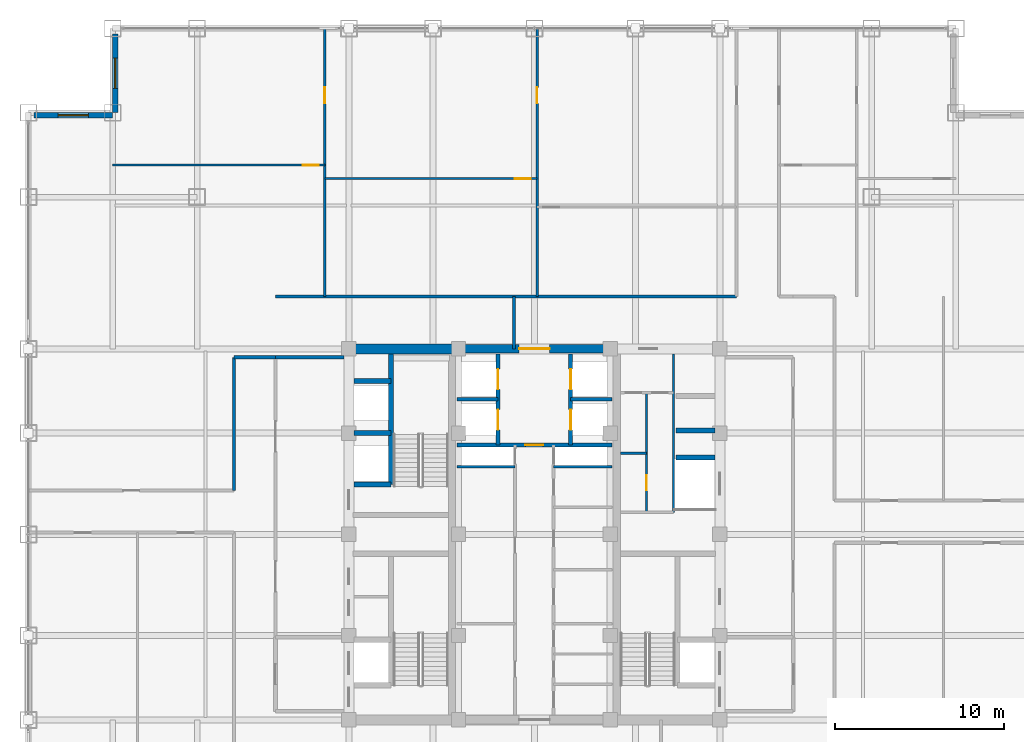
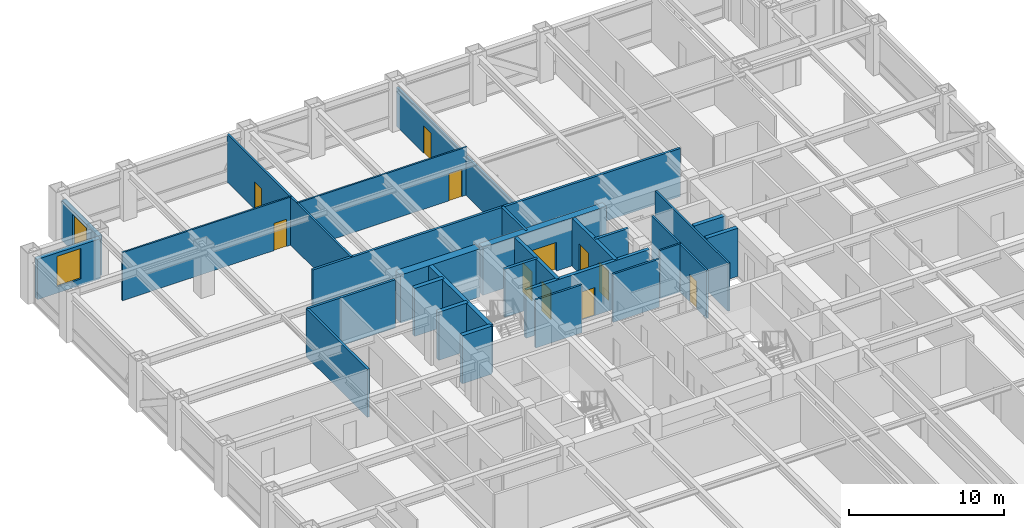
# One storey, part 22 of 25: 29 walls, 11 doors, 2 windows, 13 openings.
"""IFC4 building model written with IfcOpenShell, lengths in metres."""

from ifc_helpers import new_model, si_unit, direction, frame, frame_2d, origin, place, context, subcontext, project, spatial, rectangle, extrude, source, transform, mapped, material, layer, layer_set, type_object, element, fill, save


model = new_model("IFC4")

# Units and contexts
model_context = context("Model", 3, precision=1e-05, world=origin(), true_north=direction((0.0, 1.0)))
body_context = subcontext(model_context, "Body", "Model", "MODEL_VIEW")
ifc_project = project(units=[si_unit("LENGTHUNIT", "METRE"), si_unit("AREAUNIT", "SQUARE_METRE"), si_unit("VOLUMEUNIT", "CUBIC_METRE"), si_unit("PLANEANGLEUNIT", "RADIAN"), si_unit("MASSUNIT", "GRAM", prefix="KILO")], contexts=[model_context])

# Site, building, storey
site_placement = place(None, origin())
site = spatial("IfcSite", under=ifc_project, at=site_placement, CompositionType="ELEMENT")
building_placement = place(site_placement, origin())
building = spatial("IfcBuilding", under=site, at=building_placement, Name="Khorayat Bourse Tower", CompositionType="ELEMENT")
storey_placement = place(building_placement, frame((0.0, 0.0, 231.10009765625)))
storey = spatial("IfcBuildingStorey", under=building, at=storey_placement, Name="L54", CompositionType="ELEMENT", Elevation=231.10009765625)

# Wall, opening, door
ifc_material_1 = material(Name="Concrete C52/65", Category="concrete")
ifc_layer_1 = layer(ifc_material_1, 0.5)
ifc_layer_set_1 = layer_set([ifc_layer_1], Name="Concrete C52/65")
wall_type_1 = type_object("IfcWallType", Name="WAL-CORE-500", PredefinedType="SHEAR", material=ifc_layer_set_1)
shared_shape_1 = source(origin(), body_context, "Body", "SweptSolid", [
    extrude(rectangle(XDim=9.2001953125, YDim=0.5, at=frame_2d((4.60009765625, 0.0))), origin(), (0.0, 0.0, 1.0), 3.77978515625),
])
wall_1_placement = place(storey_placement, frame((-4.60009765625, 11.0, 0.0), z_axis=(0.0, 0.0, 1.0), x_axis=(1.0, 0.0, 0.0)))
wall_1 = element("IfcWall", 1, at=wall_1_placement, inside=storey, type_object=wall_type_1, Name="L54 Core Shear Wall CORE-N", PredefinedType="SHEAR", context=body_context, shape_type="MappedRepresentation", body=[
    mapped(shared_shape_1, transform((0.0, 0.0, 0.0), scale=1.0)),
])
shared_shape_2 = source(origin(), body_context, "Body", "SweptSolid", [
    extrude(rectangle(XDim=1.800048828125, YDim=2.25, at=frame_2d((0.89990234375, 1.125))), frame((0.0, 0.260009765625, 0.0), z_axis=(0.0, -1.0, 0.0), x_axis=(1.0, 0.0, 0.0)), (0.0, 0.0, 1.0), 0.52001953125),
])
opening_1_placement = place(wall_1_placement, frame((3.699951171875, 0.0, 0.0)))
opening_1 = element("IfcOpeningElement", 2, at=opening_1_placement, cuts=wall_1, Name="Opening DI-03", PredefinedType="OPENING", context=body_context, shape_type="MappedRepresentation", body=[
    mapped(shared_shape_2, transform((0.0, 0.0, 0.0), scale=1.0)),
])
ifc_material_2 = material(Name="Fire-rated hardwood vision-panel double leaf", Category="wood")
door_type_1 = type_object("IfcDoorType", Name="DR-INT-CORR-1800", OperationType="NOTDEFINED", PredefinedType="DOOR", material=ifc_material_2)
shared_shape_3 = source(origin(), body_context, "Body", "SweptSolid", [
    extrude(rectangle(XDim=1.800048828125, YDim=2.25, at=frame_2d((0.89990234375, 1.125))), frame((0.0, 0.02490234375, 0.0), z_axis=(0.0, -1.0, 0.0), x_axis=(1.0, 0.0, 0.0)), (0.0, 0.0, 1.0), 0.050048828125),
])
door_1_placement = place(opening_1_placement, origin())
door_1 = element("IfcDoor", 3, at=door_1_placement, inside=storey, type_object=door_type_1, Name="L54 Mid-Rise Lift Lobby Door", OperationType="SINGLE_SWING_RIGHT", OverallHeight=2.25, OverallWidth=1.800048828125, PredefinedType="DOOR", context=body_context, shape_type="MappedRepresentation", body=[
    mapped(shared_shape_3, transform((0.0, 0.0, 0.0), scale=1.0)),
])
fill(opening_1, door_1)

# Wall
ifc_material_3 = material(Name="Concrete C60/75", Category="concrete")
ifc_layer_2 = layer(ifc_material_3, 0.60009765625)
ifc_layer_set_2 = layer_set([ifc_layer_2], Name="Concrete C60/75")
wall_type_2 = type_object("IfcWallType", Name="WAL-CORE-600", PredefinedType="SHEAR", material=ifc_layer_set_2)
shared_shape_4 = source(origin(), body_context, "Body", "SweptSolid", [
    extrude(rectangle(XDim=5.89990234375, YDim=0.60009765625, at=frame_2d((2.949951171875, 0.0))), origin(), (0.0, 0.0, 1.0), 3.77978515625),
])
wall_2_placement = place(storey_placement, frame((-10.75, 11.0, 0.0), z_axis=(0.0, 0.0, 1.0), x_axis=(1.0, 0.0, 0.0)))
element("IfcWall", 4, at=wall_2_placement, inside=storey, type_object=wall_type_2, Name="L54 Core Shear Wall PIER-WN", PredefinedType="SHEAR", context=body_context, shape_type="MappedRepresentation", body=[
    mapped(shared_shape_4, transform((0.0, 0.0, 0.0), scale=1.0)),
])

# Wall, opening, window
ifc_material_4 = material(Name="Precast concrete C45/55", Category="concrete")
ifc_layer_3 = layer(ifc_material_4, 0.320068359375)
ifc_layer_set_3 = layer_set([ifc_layer_3], Name="Precast concrete C45/55")
wall_type_3 = type_object("IfcWallType", Name="WAL-EXT-STONE-320", PredefinedType="STANDARD", material=ifc_layer_set_3)
shared_shape_5 = source(origin(), body_context, "Body", "SweptSolid", [
    extrude(rectangle(XDim=4.679931640625, YDim=0.320068359375, at=frame_2d((2.33984375, 0.0))), origin(), (0.0, 0.0, 1.0), 3.163818359375),
])
wall_3_placement = place(storey_placement, frame((-24.840087890625, 25.0, 0.0), z_axis=(0.0, 0.0, 1.0), x_axis=(0.0, 1.0, 0.0)))
wall_3 = element("IfcWall", 5, at=wall_3_placement, inside=storey, type_object=wall_type_3, Name="L54 Re-Entrant Notch Limestone Wall NW-V", PredefinedType="STANDARD", context=body_context, shape_type="MappedRepresentation", body=[
    mapped(shared_shape_5, transform((0.0, 0.0, 0.0), scale=1.0)),
])
shared_shape_6 = source(origin(), body_context, "Body", "SweptSolid", [
    extrude(rectangle(XDim=1.800048828125, YDim=2.39990234375, at=frame_2d((0.89990234375, 1.199951171875))), frame((0.0, 0.169921875, 0.0), z_axis=(0.0, -1.0, 0.0), x_axis=(1.0, 0.0, 0.0)), (0.0, 0.0, 1.0), 0.340087890625),
])
opening_2_placement = place(wall_3_placement, frame((1.43994140625, 0.0, 0.5)))
opening_2 = element("IfcOpeningElement", 6, at=opening_2_placement, cuts=wall_3, Name="Opening WN-04", PredefinedType="OPENING", context=body_context, shape_type="MappedRepresentation", body=[
    mapped(shared_shape_6, transform((0.0, 0.0, 0.0), scale=1.0)),
])
ifc_material_5 = material(Name="Low-E acoustic laminated double glazing", Category="glass")
window_type = type_object("IfcWindowType", Name="WIN-NOTCH-1800x2400", PartitioningType="SINGLE_PANEL", PredefinedType="WINDOW", material=ifc_material_5)
shared_shape_7 = source(origin(), body_context, "Body", "SweptSolid", [
    extrude(rectangle(XDim=1.800048828125, YDim=2.39990234375, at=frame_2d((0.89990234375, 1.199951171875))), frame((0.0, 0.030029296875, 0.0), z_axis=(0.0, -1.0, 0.0), x_axis=(1.0, 0.0, 0.0)), (0.0, 0.0, 1.0), 0.06005859375),
])
window_1_placement = place(opening_2_placement, origin())
window_1 = element("IfcWindow", 7, at=window_1_placement, inside=storey, type_object=window_type, Name="L54 Facade Window 1", OverallHeight=2.39990234375, OverallWidth=1.800048828125, PartitioningType="SINGLE_PANEL", PredefinedType="WINDOW", context=body_context, shape_type="MappedRepresentation", body=[
    mapped(shared_shape_7, transform((0.0, 0.0, 0.0), scale=1.0)),
])
fill(opening_2, window_1)

wall_4_placement = place(storey_placement, frame((-25.0, 24.840087890625, 0.0), z_axis=(0.0, 0.0, 1.0), x_axis=(-1.0, 0.0, 0.0)))
wall_4 = element("IfcWall", 8, at=wall_4_placement, inside=storey, type_object=wall_type_3, Name="L54 Re-Entrant Notch Limestone Wall NW-H", PredefinedType="STANDARD", context=body_context, shape_type="MappedRepresentation", body=[
    mapped(shared_shape_5, transform((0.0, 0.0, 0.0), scale=1.0)),
])
opening_3_placement = place(wall_4_placement, frame((1.43994140625, 0.0, 0.5)))
opening_3 = element("IfcOpeningElement", 9, at=opening_3_placement, cuts=wall_4, Name="Opening WN-04", PredefinedType="OPENING", context=body_context, shape_type="MappedRepresentation", body=[
    mapped(shared_shape_6, transform((0.0, 0.0, 0.0), scale=1.0)),
])
window_2_placement = place(opening_3_placement, origin())
window_2 = element("IfcWindow", 10, at=window_2_placement, inside=storey, type_object=window_type, Name="L54 Facade Window 1", OverallHeight=2.39990234375, OverallWidth=1.800048828125, PartitioningType="SINGLE_PANEL", PredefinedType="WINDOW", context=body_context, shape_type="MappedRepresentation", body=[
    mapped(shared_shape_7, transform((0.0, 0.0, 0.0), scale=1.0)),
])
fill(opening_3, window_2)

# Walls
ifc_material_6 = material(Name="Concrete C50/60", Category="concrete")
ifc_layer_4 = layer(ifc_material_6, 0.300048828125)
ifc_layer_set_4 = layer_set([ifc_layer_4], Name="Concrete C50/60")
wall_type_4 = type_object("IfcWallType", Name="WAL-SHAFT-300", PredefinedType="SHEAR", material=ifc_layer_set_4)
shared_shape_8 = source(origin(), body_context, "Body", "SweptSolid", [
    extrude(rectangle(XDim=2.199951171875, YDim=0.300048828125, at=frame_2d((1.10009765625, 0.0))), origin(), (0.0, 0.0, 1.0), 3.77978515625),
])
for number, where, z_axis, x_axis, name in (
    (11, (-10.699951171875, 2.949951171875, 0.0), (0.0, 0.0, 1.0), (1.0, 0.0, 0.0), "L54 Partition WAL-L54-WPIER-H1S"),
    (12, (-10.699951171875, 6.0, 0.0), (0.0, 0.0, 1.0), (1.0, 0.0, 0.0), "L54 Partition WAL-L54-WPIER-H12"),
    (13, (-10.699951171875, 9.10009765625, 0.0), (0.0, 0.0, 1.0), (1.0, 0.0, 0.0), "L54 Partition WAL-L54-WPIER-H2N"),
):
    element("IfcWall", number, at=place(storey_placement, frame(where, z_axis=z_axis, x_axis=x_axis)), inside=storey, type_object=wall_type_4, Name=name, PredefinedType="SHEAR", context=body_context, shape_type="MappedRepresentation", body=[
        mapped(shared_shape_8, transform((0.0, 0.0, 0.0), scale=1.0)),
    ])
shared_shape_9 = source(origin(), body_context, "Body", "SweptSolid", [
    extrude(rectangle(XDim=7.75, YDim=0.300048828125, at=frame_2d((3.875, 0.0))), origin(), (0.0, 0.0, 1.0), 3.77978515625),
])
wall_5_placement = place(storey_placement, frame((-8.5, 2.949951171875, 0.0), z_axis=(0.0, 0.0, 1.0), x_axis=(0.0, 1.0, 0.0)))
element("IfcWall", 14, at=wall_5_placement, inside=storey, type_object=wall_type_4, Name="L54 Partition WAL-L54-WPIER-ST2S", PredefinedType="SHEAR", context=body_context, shape_type="MappedRepresentation", body=[
    mapped(shared_shape_9, transform((0.0, 0.0, 0.0), scale=1.0)),
])
shared_shape_10 = source(origin(), body_context, "Body", "SweptSolid", [
    extrude(rectangle(XDim=2.300048828125, YDim=0.300048828125, at=frame_2d((1.14990234375, 0.0))), origin(), (0.0, 0.0, 1.0), 3.77978515625),
])
for number, where, z_axis, x_axis, name in (
    (15, (8.39990234375, 4.550048828125, 0.0), (0.0, 0.0, 1.0), (1.0, 0.0, 0.0), "L54 Partition WAL-L54-EPIER-SVLN"),
    (16, (8.39990234375, 6.14990234375, 0.0), (0.0, 0.0, 1.0), (1.0, 0.0, 0.0), "L54 Partition WAL-L54-EPIER-H3S"),
):
    element("IfcWall", number, at=place(storey_placement, frame(where, z_axis=z_axis, x_axis=x_axis)), inside=storey, type_object=wall_type_4, Name=name, PredefinedType="SHEAR", context=body_context, shape_type="MappedRepresentation", body=[
        mapped(shared_shape_10, transform((0.0, 0.0, 0.0), scale=1.0)),
    ])
ifc_material_7 = material(Name="Moisture-resistant masonry partition", Category="masonry")
ifc_layer_5 = layer(ifc_material_7, 0.139892578125)
ifc_layer_set_5 = layer_set([ifc_layer_5], Name="Moisture-resistant masonry partition")
wall_type_5 = type_object("IfcWallType", Name="WAL-PART-WET-140", PredefinedType="PARTITIONING", material=ifc_layer_set_5)
shared_shape_11 = source(origin(), body_context, "Body", "SweptSolid", [
    extrude(rectangle(XDim=9.39990234375, YDim=0.139892578125, at=frame_2d((4.699951171875, 0.0))), origin(), (0.0, 0.0, 1.0), 3.77978515625),
])
wall_6_placement = place(storey_placement, frame((8.25, 1.300048828125, 0.0), z_axis=(0.0, 0.0, 1.0), x_axis=(0.0, 1.0, 0.0)))
element("IfcWall", 17, at=wall_6_placement, inside=storey, type_object=wall_type_5, Name="L54 Partition WAL-L54-ECORE-E", PredefinedType="PARTITIONING", context=body_context, shape_type="MappedRepresentation", body=[
    mapped(shared_shape_11, transform((0.0, 0.0, 0.0), scale=1.0)),
])
ifc_material_8 = material(Name="Gypsum plasterboard acoustic stud wall")
ifc_layer_6 = layer(ifc_material_8, 0.179931640625)
ifc_layer_set_6 = layer_set([ifc_layer_6], Name="Gypsum plasterboard acoustic stud wall")
wall_type_6 = type_object("IfcWallType", Name="WAL-PART-CORR-180", PredefinedType="PARTITIONING", material=ifc_layer_set_6)
shared_shape_12 = source(origin(), body_context, "Body", "SweptSolid", [
    extrude(rectangle(XDim=4.050048828125, YDim=0.179931640625, at=frame_2d((2.02490234375, 0.0))), origin(), (0.0, 0.0, 1.0), 3.77978515625),
])
wall_7_placement = place(storey_placement, frame((-15.35009765625, 10.5, 0.0), z_axis=(0.0, 0.0, 1.0), x_axis=(1.0, 0.0, 0.0)))
element("IfcWall", 18, at=wall_7_placement, inside=storey, type_object=wall_type_6, Name="L54 Partition WAL-L54-WLOB-N", PredefinedType="PARTITIONING", context=body_context, shape_type="MappedRepresentation", body=[
    mapped(shared_shape_12, transform((0.0, 0.0, 0.0), scale=1.0)),
])
ifc_material_9 = material(Name="Gypsum plasterboard twin-frame partition")
ifc_layer_7 = layer(ifc_material_9, 0.14990234375)
ifc_layer_set_7 = layer_set([ifc_layer_7], Name="Gypsum plasterboard twin-frame partition")
wall_type_7 = type_object("IfcWallType", Name="WAL-PART-SUITE-150", PredefinedType="PARTITIONING", material=ifc_layer_set_7)
shared_shape_13 = source(origin(), body_context, "Body", "SweptSolid", [
    extrude(rectangle(XDim=3.4501953125, YDim=0.14990234375, at=frame_2d((1.72509765625, 0.0))), origin(), (0.0, 0.0, 1.0), 3.77978515625),
])
for number, where, z_axis, x_axis, name in (
    (19, (-4.60009765625, 4.0, 0.0), (0.0, 0.0, 1.0), (1.0, 0.0, 0.0), "L54 Partition WAL-L54-CRSW-S"),
    (20, (1.14990234375, 4.0, 0.0), (0.0, 0.0, 1.0), (1.0, 0.0, 0.0), "L54 Partition WAL-L54-CRSE-S"),
):
    element("IfcWall", number, at=place(storey_placement, frame(where, z_axis=z_axis, x_axis=x_axis)), inside=storey, type_object=wall_type_7, Name=name, PredefinedType="PARTITIONING", context=body_context, shape_type="MappedRepresentation", body=[
        mapped(shared_shape_13, transform((0.0, 0.0, 0.0), scale=1.0)),
    ])

# Wall, openings, doors
shared_shape_14 = source(origin(), body_context, "Body", "SweptSolid", [
    extrude(rectangle(XDim=5.39990234375, YDim=0.25, at=frame_2d((2.699951171875, 0.0))), origin(), (0.0, 0.0, 1.0), 3.77978515625),
])
wall_8_placement = place(storey_placement, frame((-2.14990234375, 5.300048828125, 0.0), z_axis=(0.0, 0.0, 1.0), x_axis=(0.0, 1.0, 0.0)))
wall_8 = element("IfcWall", 21, at=wall_8_placement, inside=storey, type_object=wall_type_4, Name="L54 Partition WAL-L54-B2-W", PredefinedType="SHEAR", context=body_context, shape_type="MappedRepresentation", body=[
    mapped(shared_shape_14, transform((0.0, 0.0, 0.0), scale=1.0)),
])
shared_shape_15 = source(origin(), body_context, "Body", "SweptSolid", [
    extrude(rectangle(XDim=1.199951171875, YDim=2.300048828125, at=frame_2d((0.60009765625, 1.14990234375))), frame((0.0, 0.135009765625, 0.0), z_axis=(0.0, -1.0, 0.0), x_axis=(1.0, 0.0, 0.0)), (0.0, 0.0, 1.0), 0.27001953125),
])
opening_4_placement = place(wall_8_placement, frame((3.300048828125, 0.0, 0.0)))
opening_4 = element("IfcOpeningElement", 22, at=opening_4_placement, cuts=wall_8, Name="Opening LD-01", PredefinedType="OPENING", context=body_context, shape_type="MappedRepresentation", body=[
    mapped(shared_shape_15, transform((0.0, 0.0, 0.0), scale=1.0)),
])
opening_5_placement = place(wall_8_placement, frame((0.89990234375, 0.0, 0.0)))
opening_5 = element("IfcOpeningElement", 23, at=opening_5_placement, cuts=wall_8, Name="Opening LD-01", PredefinedType="OPENING", context=body_context, shape_type="MappedRepresentation", body=[
    mapped(shared_shape_15, transform((0.0, 0.0, 0.0), scale=1.0)),
])
ifc_material_10 = material(Name="Brushed bronze stainless-steel sliding door", Category="steel")
door_type_2 = type_object("IfcDoorType", Name="DR-LIFT-PASS-1200", OperationType="NOTDEFINED", PredefinedType="DOOR", material=ifc_material_10)
shared_shape_16 = source(origin(), body_context, "Body", "SweptSolid", [
    extrude(rectangle(XDim=1.199951171875, YDim=2.300048828125, at=frame_2d((0.60009765625, 1.14990234375))), frame((0.0, 0.02490234375, 0.0), z_axis=(0.0, -1.0, 0.0), x_axis=(1.0, 0.0, 0.0)), (0.0, 0.0, 1.0), 0.050048828125),
])
door_2_placement = place(opening_4_placement, origin())
door_2 = element("IfcDoor", 24, at=door_2_placement, inside=storey, type_object=door_type_2, Name="L54 Lift PL-M1 Sliding Landing Door", OperationType="SLIDING_TO_LEFT", OverallHeight=2.300048828125, OverallWidth=1.199951171875, PredefinedType="DOOR", context=body_context, shape_type="MappedRepresentation", body=[
    mapped(shared_shape_16, transform((0.0, 0.0, 0.0), scale=1.0)),
])
fill(opening_4, door_2)
door_3_placement = place(opening_5_placement, origin())
door_3 = element("IfcDoor", 25, at=door_3_placement, inside=storey, type_object=door_type_2, Name="L54 Lift PL-M3 Sliding Landing Door", OperationType="SLIDING_TO_LEFT", OverallHeight=2.300048828125, OverallWidth=1.199951171875, PredefinedType="DOOR", context=body_context, shape_type="MappedRepresentation", body=[
    mapped(shared_shape_16, transform((0.0, 0.0, 0.0), scale=1.0)),
])
fill(opening_5, door_3)

wall_9_placement = place(storey_placement, frame((2.14990234375, 5.300048828125, 0.0), z_axis=(0.0, 0.0, 1.0), x_axis=(0.0, 1.0, 0.0)))
wall_9 = element("IfcWall", 26, at=wall_9_placement, inside=storey, type_object=wall_type_4, Name="L54 Partition WAL-L54-B2-E", PredefinedType="SHEAR", context=body_context, shape_type="MappedRepresentation", body=[
    mapped(shared_shape_14, transform((0.0, 0.0, 0.0), scale=1.0)),
])
opening_6_placement = place(wall_9_placement, frame((3.300048828125, 0.0, 0.0)))
opening_6 = element("IfcOpeningElement", 27, at=opening_6_placement, cuts=wall_9, Name="Opening LD-01", PredefinedType="OPENING", context=body_context, shape_type="MappedRepresentation", body=[
    mapped(shared_shape_15, transform((0.0, 0.0, 0.0), scale=1.0)),
])
opening_7_placement = place(wall_9_placement, frame((0.89990234375, 0.0, 0.0)))
opening_7 = element("IfcOpeningElement", 28, at=opening_7_placement, cuts=wall_9, Name="Opening LD-01", PredefinedType="OPENING", context=body_context, shape_type="MappedRepresentation", body=[
    mapped(shared_shape_15, transform((0.0, 0.0, 0.0), scale=1.0)),
])
door_4_placement = place(opening_6_placement, origin())
door_4 = element("IfcDoor", 29, at=door_4_placement, inside=storey, type_object=door_type_2, Name="L54 Lift PL-M2 Sliding Landing Door", OperationType="SLIDING_TO_LEFT", OverallHeight=2.300048828125, OverallWidth=1.199951171875, PredefinedType="DOOR", context=body_context, shape_type="MappedRepresentation", body=[
    mapped(shared_shape_16, transform((0.0, 0.0, 0.0), scale=1.0)),
])
fill(opening_6, door_4)
door_5_placement = place(opening_7_placement, origin())
door_5 = element("IfcDoor", 30, at=door_5_placement, inside=storey, type_object=door_type_2, Name="L54 Lift PL-M4 Sliding Landing Door", OperationType="SLIDING_TO_LEFT", OverallHeight=2.300048828125, OverallWidth=1.199951171875, PredefinedType="DOOR", context=body_context, shape_type="MappedRepresentation", body=[
    mapped(shared_shape_16, transform((0.0, 0.0, 0.0), scale=1.0)),
])
fill(opening_7, door_5)

# Walls
shared_shape_17 = source(origin(), body_context, "Body", "SweptSolid", [
    extrude(rectangle(XDim=2.4501953125, YDim=0.199951171875, at=frame_2d((1.22509765625, 0.0))), origin(), (0.0, 0.0, 1.0), 3.77978515625),
])
for number, where, z_axis, x_axis, name in (
    (31, (-4.60009765625, 8.0, 0.0), (0.0, 0.0, 1.0), (1.0, 0.0, 0.0), "L54 Partition WAL-L54-B2-MW"),
    (32, (2.14990234375, 8.0, 0.0), (0.0, 0.0, 1.0), (1.0, 0.0, 0.0), "L54 Partition WAL-L54-B2-ME"),
):
    element("IfcWall", number, at=place(storey_placement, frame(where, z_axis=z_axis, x_axis=x_axis)), inside=storey, type_object=wall_type_4, Name=name, PredefinedType="SHEAR", context=body_context, shape_type="MappedRepresentation", body=[
        mapped(shared_shape_17, transform((0.0, 0.0, 0.0), scale=1.0)),
    ])

# Wall, opening, door
shared_shape_18 = source(origin(), body_context, "Body", "SweptSolid", [
    extrude(rectangle(XDim=9.2001953125, YDim=0.25, at=frame_2d((4.60009765625, 0.0))), origin(), (0.0, 0.0, 1.0), 3.77978515625),
])
wall_10_placement = place(storey_placement, frame((-4.60009765625, 5.300048828125, 0.0), z_axis=(0.0, 0.0, 1.0), x_axis=(1.0, 0.0, 0.0)))
wall_10 = element("IfcWall", 33, at=wall_10_placement, inside=storey, type_object=wall_type_4, Name="L54 Partition WAL-L54-B2-S", PredefinedType="SHEAR", context=body_context, shape_type="MappedRepresentation", body=[
    mapped(shared_shape_18, transform((0.0, 0.0, 0.0), scale=1.0)),
])
shared_shape_19 = source(origin(), body_context, "Body", "SweptSolid", [
    extrude(rectangle(XDim=1.050048828125, YDim=2.199951171875, at=frame_2d((0.52490234375, 1.10009765625))), frame((0.0, 0.135009765625, 0.0), z_axis=(0.0, -1.0, 0.0), x_axis=(1.0, 0.0, 0.0)), (0.0, 0.0, 1.0), 0.27001953125),
])
opening_8_placement = place(wall_10_placement, frame((4.074951171875, 0.0, 0.0)))
opening_8 = element("IfcOpeningElement", 34, at=opening_8_placement, cuts=wall_10, Name="Opening DI-04", PredefinedType="OPENING", context=body_context, shape_type="MappedRepresentation", body=[
    mapped(shared_shape_19, transform((0.0, 0.0, 0.0), scale=1.0)),
])
ifc_material_11 = material(Name="Fire-rated oak veneer suite entrance door")
door_type_3 = type_object("IfcDoorType", Name="DR-INT-SUITE-1050", OperationType="NOTDEFINED", PredefinedType="DOOR", material=ifc_material_11)
shared_shape_20 = source(origin(), body_context, "Body", "SweptSolid", [
    extrude(rectangle(XDim=1.050048828125, YDim=2.199951171875, at=frame_2d((0.52490234375, 1.10009765625))), frame((0.0, 0.02490234375, 0.0), z_axis=(0.0, -1.0, 0.0), x_axis=(1.0, 0.0, 0.0)), (0.0, 0.0, 1.0), 0.050048828125),
])
door_6_placement = place(opening_8_placement, origin())
door_6 = element("IfcDoor", 35, at=door_6_placement, inside=storey, type_object=door_type_3, Name="L54 Core Spine North Door", OperationType="SINGLE_SWING_RIGHT", OverallHeight=2.199951171875, OverallWidth=1.050048828125, PredefinedType="DOOR", context=body_context, shape_type="MappedRepresentation", body=[
    mapped(shared_shape_20, transform((0.0, 0.0, 0.0), scale=1.0)),
])
fill(opening_8, door_6)

# Walls
shared_shape_21 = source(origin(), body_context, "Body", "SweptSolid", [
    extrude(rectangle(XDim=2.449951171875, YDim=0.179931640625, at=frame_2d((1.22509765625, 0.0))), origin(), (0.0, 0.0, 1.0), 3.77978515625),
])
wall_11_placement = place(storey_placement, frame((-17.800048828125, 10.5, 0.0), z_axis=(0.0, 0.0, 1.0), x_axis=(1.0, 0.0, 0.0)))
element("IfcWall", 36, at=wall_11_placement, inside=storey, type_object=wall_type_6, Name="L54 Partition WAL-L54-C2-WN", PredefinedType="PARTITIONING", context=body_context, shape_type="MappedRepresentation", body=[
    mapped(shared_shape_21, transform((0.0, 0.0, 0.0), scale=1.0)),
])
shared_shape_22 = source(origin(), body_context, "Body", "SweptSolid", [
    extrude(rectangle(XDim=27.35009765625, YDim=0.179931640625, at=frame_2d((13.675048828125, 0.0))), origin(), (0.0, 0.0, 1.0), 3.77978515625),
])
wall_12_placement = place(storey_placement, frame((-15.35009765625, 14.10009765625, 0.0), z_axis=(0.0, 0.0, 1.0), x_axis=(1.0, 0.0, 0.0)))
element("IfcWall", 37, at=wall_12_placement, inside=storey, type_object=wall_type_6, Name="L54 Partition WAL-L54-QNW-HC", PredefinedType="PARTITIONING", context=body_context, shape_type="MappedRepresentation", body=[
    mapped(shared_shape_22, transform((0.0, 0.0, 0.0), scale=1.0)),
])
shared_shape_23 = source(origin(), body_context, "Body", "SweptSolid", [
    extrude(rectangle(XDim=3.10009765625, YDim=0.179931640625, at=frame_2d((1.550048828125, 0.0))), origin(), (0.0, 0.0, 1.0), 3.77978515625),
])
wall_13_placement = place(storey_placement, frame((-1.199951171875, 11.0, 0.0), z_axis=(0.0, 0.0, 1.0), x_axis=(0.0, 1.0, 0.0)))
element("IfcWall", 38, at=wall_13_placement, inside=storey, type_object=wall_type_6, Name="L54 Partition WAL-L54-C2-NCW", PredefinedType="PARTITIONING", context=body_context, shape_type="MappedRepresentation", body=[
    mapped(shared_shape_23, transform((0.0, 0.0, 0.0), scale=1.0)),
])

# Wall, opening, door
shared_shape_24 = source(origin(), body_context, "Body", "SweptSolid", [
    extrude(rectangle(XDim=15.89990234375, YDim=0.14990234375, at=frame_2d((7.949951171875, 0.0))), origin(), (0.0, 0.0, 1.0), 3.77978515625),
])
wall_14_placement = place(storey_placement, frame((-12.419921875, 14.10009765625, 0.0), z_axis=(0.0, 0.0, 1.0), x_axis=(0.0, 1.0, 0.0)))
wall_14 = element("IfcWall", 39, at=wall_14_placement, inside=storey, type_object=wall_type_7, Name="L54 Partition WAL-L54-QNWDV-1", PredefinedType="PARTITIONING", context=body_context, shape_type="MappedRepresentation", body=[
    mapped(shared_shape_24, transform((0.0, 0.0, 0.0), scale=1.0)),
])
shared_shape_25 = source(origin(), body_context, "Body", "SweptSolid", [
    extrude(rectangle(XDim=0.949951171875, YDim=2.14990234375, at=frame_2d((0.47509765625, 1.074951171875))), frame((0.0, 0.0849609375, 0.0), z_axis=(0.0, -1.0, 0.0), x_axis=(1.0, 0.0, 0.0)), (0.0, 0.0, 1.0), 0.169921875),
])
opening_9_placement = place(wall_14_placement, frame((11.449951171875, 0.0, 0.0)))
opening_9 = element("IfcOpeningElement", 40, at=opening_9_placement, cuts=wall_14, Name="Opening DI-05", PredefinedType="OPENING", context=body_context, shape_type="MappedRepresentation", body=[
    mapped(shared_shape_25, transform((0.0, 0.0, 0.0), scale=1.0)),
])
ifc_material_12 = material(Name="Acoustic oak veneer office door")
door_type_4 = type_object("IfcDoorType", Name="DR-INT-OFFICE-950", OperationType="NOTDEFINED", PredefinedType="DOOR", material=ifc_material_12)
shared_shape_26 = source(origin(), body_context, "Body", "SweptSolid", [
    extrude(rectangle(XDim=0.949951171875, YDim=2.14990234375, at=frame_2d((0.47509765625, 1.074951171875))), frame((0.0, 0.02490234375, 0.0), z_axis=(0.0, -1.0, 0.0), x_axis=(1.0, 0.0, 0.0)), (0.0, 0.0, 1.0), 0.050048828125),
])
door_7_placement = place(opening_9_placement, origin())
door_7 = element("IfcDoor", 41, at=door_7_placement, inside=storey, type_object=door_type_4, Name="L54 North-West Suite Link 1", OperationType="SINGLE_SWING_RIGHT", OverallHeight=2.14990234375, OverallWidth=0.949951171875, PredefinedType="DOOR", context=body_context, shape_type="MappedRepresentation", body=[
    mapped(shared_shape_26, transform((0.0, 0.0, 0.0), scale=1.0)),
])
fill(opening_9, door_7)

shared_shape_27 = source(origin(), body_context, "Body", "SweptSolid", [
    extrude(rectangle(XDim=7.099853515625, YDim=0.139892578125, at=frame_2d((3.5498046875, 0.0))), origin(), (0.0, 0.0, 1.0), 3.77978515625),
])
wall_15_placement = place(storey_placement, frame((6.64990234375, 1.300048828125, 0.0), z_axis=(0.0, 0.0, 1.0), x_axis=(0.0, 1.0, 0.0)))
wall_15 = element("IfcWall", 42, at=wall_15_placement, inside=storey, type_object=wall_type_5, Name="L54 Partition WAL-L54-ECW-MID", PredefinedType="PARTITIONING", context=body_context, shape_type="MappedRepresentation", body=[
    mapped(shared_shape_27, transform((0.0, 0.0, 0.0), scale=1.0)),
])
shared_shape_28 = source(origin(), body_context, "Body", "SweptSolid", [
    extrude(rectangle(XDim=0.89990234375, YDim=2.14990234375, at=frame_2d((0.449951171875, 1.074951171875))), frame((0.0, 0.079833984375, 0.0), z_axis=(0.0, -1.0, 0.0), x_axis=(1.0, 0.0, 0.0)), (0.0, 0.0, 1.0), 0.159912109375),
])
opening_10_placement = place(wall_15_placement, frame((1.300048828125, 0.0, 0.0)))
opening_10 = element("IfcOpeningElement", 43, at=opening_10_placement, cuts=wall_15, Name="Opening DI-06", PredefinedType="OPENING", context=body_context, shape_type="MappedRepresentation", body=[
    mapped(shared_shape_28, transform((0.0, 0.0, 0.0), scale=1.0)),
])
ifc_material_13 = material(Name="Moisture-resistant laminate washroom door")
door_type_5 = type_object("IfcDoorType", Name="DR-INT-WC-900", OperationType="NOTDEFINED", PredefinedType="DOOR", material=ifc_material_13)
shared_shape_29 = source(origin(), body_context, "Body", "SweptSolid", [
    extrude(rectangle(XDim=0.89990234375, YDim=2.14990234375, at=frame_2d((0.449951171875, 1.074951171875))), frame((0.0, 0.02490234375, 0.0), z_axis=(0.0, -1.0, 0.0), x_axis=(1.0, 0.0, 0.0)), (0.0, 0.0, 1.0), 0.050048828125),
])
door_8_placement = place(opening_10_placement, origin())
door_8 = element("IfcDoor", 44, at=door_8_placement, inside=storey, type_object=door_type_5, Name="L54 Janitor Store Door", OperationType="SINGLE_SWING_LEFT", OverallHeight=2.14990234375, OverallWidth=0.89990234375, PredefinedType="DOOR", context=body_context, shape_type="MappedRepresentation", body=[
    mapped(shared_shape_29, transform((0.0, 0.0, 0.0), scale=1.0)),
])
fill(opening_10, door_8)

# Wall
shared_shape_30 = source(origin(), body_context, "Body", "SweptSolid", [
    extrude(rectangle(XDim=1.5498046875, YDim=0.139892578125, at=frame_2d((0.77490234375, 0.0))), origin(), (0.0, 0.0, 1.0), 3.77978515625),
])
wall_16_placement = place(storey_placement, frame((5.10009765625, 4.800048828125, 0.0), z_axis=(0.0, 0.0, 1.0), x_axis=(1.0, 0.0, 0.0)))
element("IfcWall", 45, at=wall_16_placement, inside=storey, type_object=wall_type_5, Name="L54 Partition WAL-L54-ECW-BOT", PredefinedType="PARTITIONING", context=body_context, shape_type="MappedRepresentation", body=[
    mapped(shared_shape_30, transform((0.0, 0.0, 0.0), scale=1.0)),
])

# Wall, opening, door
ifc_material_14 = material(Name="Gypsum plasterboard partition")
ifc_layer_8 = layer(ifc_material_14, 0.125)
ifc_layer_set_8 = layer_set([ifc_layer_8], Name="Gypsum plasterboard partition")
wall_type_8 = type_object("IfcWallType", Name="WAL-PART-ROOM-125", PredefinedType="PARTITIONING", material=ifc_layer_set_8)
shared_shape_31 = source(origin(), body_context, "Body", "SweptSolid", [
    extrude(rectangle(XDim=12.580078125, YDim=0.125, at=frame_2d((6.2900390625, 0.0))), origin(), (0.0, 0.0, 1.0), 3.77978515625),
])
wall_17_placement = place(storey_placement, frame((-25.0, 21.89111328125, 0.0), z_axis=(0.0, 0.0, 1.0), x_axis=(1.0, 0.0, 0.0)))
wall_17 = element("IfcWall", 46, at=wall_17_placement, inside=storey, type_object=wall_type_8, Name="L54 Partition WAL-L54-QNWDP-1", PredefinedType="PARTITIONING", context=body_context, shape_type="MappedRepresentation", body=[
    mapped(shared_shape_31, transform((0.0, 0.0, 0.0), scale=1.0)),
])
shared_shape_32 = source(origin(), body_context, "Body", "SweptSolid", [
    extrude(rectangle(XDim=0.949951171875, YDim=2.14990234375, at=frame_2d((0.47509765625, 1.074951171875))), frame((0.0, 0.072509765625, 0.0), z_axis=(0.0, -1.0, 0.0), x_axis=(1.0, 0.0, 0.0)), (0.0, 0.0, 1.0), 0.14501953125),
])
opening_11_placement = place(wall_17_placement, frame((11.2548828125, 0.0, 0.0)))
opening_11 = element("IfcOpeningElement", 47, at=opening_11_placement, cuts=wall_17, Name="Opening DI-05", PredefinedType="OPENING", context=body_context, shape_type="MappedRepresentation", body=[
    mapped(shared_shape_32, transform((0.0, 0.0, 0.0), scale=1.0)),
])
door_9_placement = place(opening_11_placement, origin())
door_9 = element("IfcDoor", 48, at=door_9_placement, inside=storey, type_object=door_type_4, Name="L54 North-West Members Club Room 1B Door", OperationType="SINGLE_SWING_RIGHT", OverallHeight=2.14990234375, OverallWidth=0.949951171875, PredefinedType="DOOR", context=body_context, shape_type="MappedRepresentation", body=[
    mapped(shared_shape_26, transform((0.0, 0.0, 0.0), scale=1.0)),
])
fill(opening_11, door_9)

shared_shape_33 = source(origin(), body_context, "Body", "SweptSolid", [
    extrude(rectangle(XDim=12.579833984375, YDim=0.125, at=frame_2d((6.2900390625, 0.0))), origin(), (0.0, 0.0, 1.0), 3.77978515625),
])
wall_18_placement = place(storey_placement, frame((-12.419921875, 21.095947265625, 0.0), z_axis=(0.0, 0.0, 1.0), x_axis=(1.0, 0.0, 0.0)))
wall_18 = element("IfcWall", 49, at=wall_18_placement, inside=storey, type_object=wall_type_8, Name="L54 Partition WAL-L54-QNWDP-2", PredefinedType="PARTITIONING", context=body_context, shape_type="MappedRepresentation", body=[
    mapped(shared_shape_33, transform((0.0, 0.0, 0.0), scale=1.0)),
])
opening_12_placement = place(wall_18_placement, frame((11.2548828125, 0.0, 0.0)))
opening_12 = element("IfcOpeningElement", 50, at=opening_12_placement, cuts=wall_18, Name="Opening DI-05", PredefinedType="OPENING", context=body_context, shape_type="MappedRepresentation", body=[
    mapped(shared_shape_32, transform((0.0, 0.0, 0.0), scale=1.0)),
])
door_10_placement = place(opening_12_placement, origin())
door_10 = element("IfcDoor", 51, at=door_10_placement, inside=storey, type_object=door_type_4, Name="L54 North-West Staff Tea Pantry 2B Door", OperationType="SINGLE_SWING_LEFT", OverallHeight=2.14990234375, OverallWidth=0.949951171875, PredefinedType="DOOR", context=body_context, shape_type="MappedRepresentation", body=[
    mapped(shared_shape_26, transform((0.0, 0.0, 0.0), scale=1.0)),
])
fill(opening_12, door_10)

shared_shape_34 = source(origin(), body_context, "Body", "SweptSolid", [
    extrude(rectangle(XDim=15.89990234375, YDim=0.14990234375, at=frame_2d((7.949951171875, 0.0))), origin(), (0.0, 0.0, 1.0), 3.0849609375),
])
wall_19_placement = place(storey_placement, frame((0.159912109375, 14.10009765625, 0.0), z_axis=(0.0, 0.0, 1.0), x_axis=(0.0, 1.0, 0.0)))
wall_19 = element("IfcWall", 52, at=wall_19_placement, inside=storey, type_object=wall_type_7, Name="L54 Partition WAL-L54-QNWDV-2", PredefinedType="PARTITIONING", context=body_context, shape_type="MappedRepresentation", body=[
    mapped(shared_shape_34, transform((0.0, 0.0, 0.0), scale=1.0)),
])
opening_13_placement = place(wall_19_placement, frame((11.449951171875, 0.0, 0.0)))
opening_13 = element("IfcOpeningElement", 53, at=opening_13_placement, cuts=wall_19, Name="Opening DI-05", PredefinedType="OPENING", context=body_context, shape_type="MappedRepresentation", body=[
    mapped(shared_shape_25, transform((0.0, 0.0, 0.0), scale=1.0)),
])
door_11_placement = place(opening_13_placement, origin())
door_11 = element("IfcDoor", 54, at=door_11_placement, inside=storey, type_object=door_type_4, Name="L54 North-West Suite Link 2", OperationType="SINGLE_SWING_LEFT", OverallHeight=2.14990234375, OverallWidth=0.949951171875, PredefinedType="DOOR", context=body_context, shape_type="MappedRepresentation", body=[
    mapped(shared_shape_26, transform((0.0, 0.0, 0.0), scale=1.0)),
])
fill(opening_13, door_11)

# Wall
shared_shape_35 = source(origin(), body_context, "Body", "SweptSolid", [
    extrude(rectangle(XDim=7.89990234375, YDim=0.179931640625, at=frame_2d((3.949951171875, 0.0))), origin(), (0.0, 0.0, 1.0), 3.77978515625),
])
wall_20_placement = place(storey_placement, frame((-17.800048828125, 2.60009765625, 0.0), z_axis=(0.0, 0.0, 1.0), x_axis=(0.0, 1.0, 0.0)))
element("IfcWall", 55, at=wall_20_placement, inside=storey, type_object=wall_type_6, Name="L54 Partition WAL-L54-WN-IN", PredefinedType="PARTITIONING", context=body_context, shape_type="MappedRepresentation", body=[
    mapped(shared_shape_35, transform((0.0, 0.0, 0.0), scale=1.0)),
])

save(model, "model.ifc")
